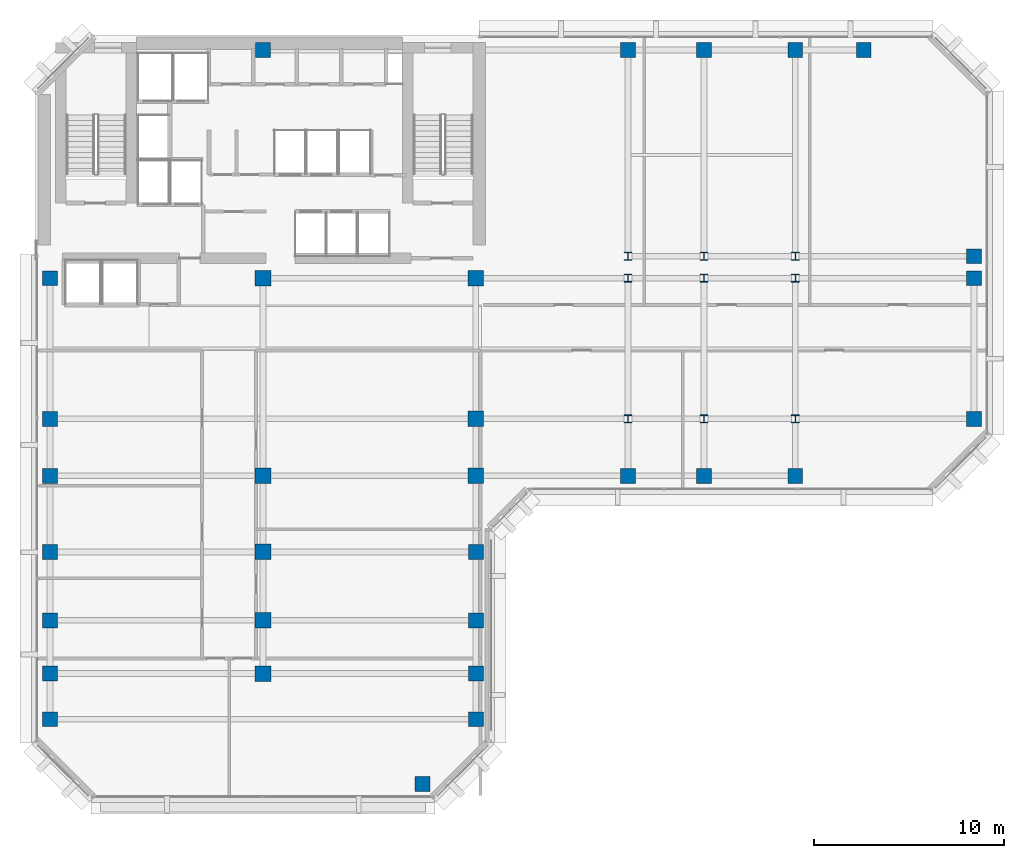
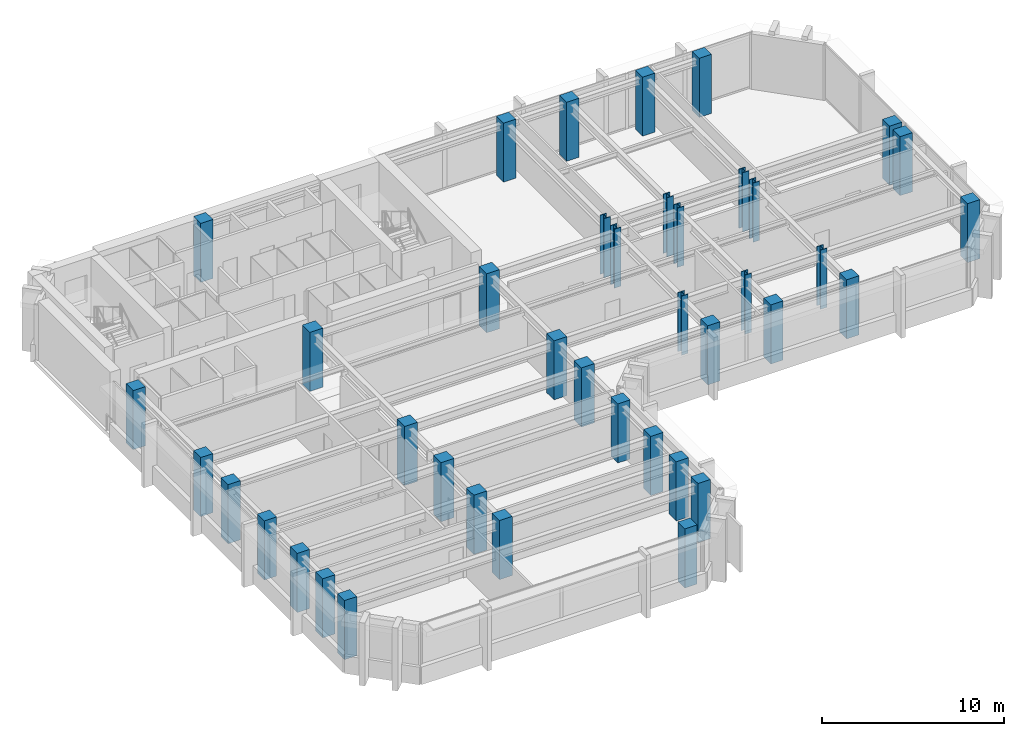
# One storey, part 1 of 12: 40 columns.
"""IFC4 building model written with IfcOpenShell, lengths in metres."""

from ifc_helpers import new_model, si_unit, direction, frame, origin, origin_2d, place, context, subcontext, project, spatial, rectangle, i_section, extrude, material, material_profile, profile_set, type_object, element, save


model = new_model("IFC4")

# Units and contexts
model_context = context("Model", 3, precision=1e-05, world=origin(), true_north=direction((0.0, 1.0)))
body_context = subcontext(model_context, "Body", "Model", "MODEL_VIEW")
ifc_project = project(units=[si_unit("LENGTHUNIT", "METRE"), si_unit("AREAUNIT", "SQUARE_METRE"), si_unit("VOLUMEUNIT", "CUBIC_METRE"), si_unit("PLANEANGLEUNIT", "RADIAN"), si_unit("MASSUNIT", "GRAM", prefix="KILO")], contexts=[model_context])

# Site, building, storey
site_placement = place(None, origin())
site = spatial("IfcSite", under=ifc_project, at=site_placement, CompositionType="ELEMENT")
building_placement = place(site_placement, origin())
building = spatial("IfcBuilding", under=site, at=building_placement, Name="Kefirva Bronze Tower", CompositionType="ELEMENT")
storey_placement = place(building_placement, frame((0.0, 0.0, 203.280029296875)))
storey = spatial("IfcBuildingStorey", under=building, at=storey_placement, Name="L49", CompositionType="ELEMENT", Elevation=203.280029296875)

# Columns
ifc_material_1 = material(Name="Concrete C50/60", Category="concrete")
ifc_material_profile_1 = material_profile(ifc_material_1, rectangle(XDim=0.780029296875, YDim=0.780029296875, at=origin_2d()), Name="RC 780x780")
ifc_profile_set_1 = profile_set([ifc_material_profile_1], Name="Concrete C50/60")
column_type_1 = type_object("IfcColumnType", Name="RC Column 780x780 Ext", PredefinedType="COLUMN", material=ifc_profile_set_1)
for number, where, z_axis, x_axis, name in (
    (1, (0.800048828125, 10.0, 0.0), (0.0, 0.0, 1.0), (1.0, 0.0, 0.0), "L49 Column C008_100"),
    (2, (0.800048828125, 12.39990234375, 0.0), (0.0, 0.0, 1.0), (1.0, 0.0, 0.0), "L49 Column C008_124"),
    (3, (0.800048828125, 15.199951171875, 0.0), (0.0, 0.0, 1.0), (1.0, 0.0, 0.0), "L49 Column C008_152"),
    (4, (0.800048828125, 18.800048828125, 0.0), (0.0, 0.0, 1.0), (1.0, 0.0, 0.0), "L49 Column C008_188"),
    (5, (0.800048828125, 22.800048828125, 0.0), (0.0, 0.0, 1.0), (1.0, 0.0, 0.0), "L49 Column C008_228"),
    (6, (0.800048828125, 25.800048828125, 0.0), (0.0, 0.0, 1.0), (1.0, 0.0, 0.0), "L49 Column C008_258"),
    (7, (0.800048828125, 33.199951171875, 0.0), (0.0, 0.0, 1.0), (1.0, 0.0, 0.0), "L49 Column C008_332"),
    (8, (12.0, 45.199951171875, 0.0), (0.0, 0.0, 1.0), (1.0, 0.0, 0.0), "L49 Column C120_452"),
    (9, (20.39990234375, 6.60009765625, 0.0), (0.0, 0.0, 1.0), (1.0, 0.0, 0.0), "L49 Column C204_066"),
    (10, (23.199951171875, 10.0, 0.0), (0.0, 0.0, 1.0), (1.0, 0.0, 0.0), "L49 Column C232_100"),
    (11, (23.199951171875, 12.39990234375, 0.0), (0.0, 0.0, 1.0), (1.0, 0.0, 0.0), "L49 Column C232_124"),
    (12, (23.199951171875, 15.199951171875, 0.0), (0.0, 0.0, 1.0), (1.0, 0.0, 0.0), "L49 Column C232_152"),
    (13, (23.199951171875, 18.800048828125, 0.0), (0.0, 0.0, 1.0), (1.0, 0.0, 0.0), "L49 Column C232_188"),
    (14, (31.199951171875, 22.800048828125, 0.0), (0.0, 0.0, 1.0), (1.0, 0.0, 0.0), "L49 Column C312_228"),
    (15, (31.199951171875, 45.199951171875, 0.0), (0.0, 0.0, 1.0), (1.0, 0.0, 0.0), "L49 Column C312_452"),
    (16, (35.199951171875, 22.800048828125, 0.0), (0.0, 0.0, 1.0), (1.0, 0.0, 0.0), "L49 Column C352_228"),
    (17, (35.199951171875, 45.199951171875, 0.0), (0.0, 0.0, 1.0), (1.0, 0.0, 0.0), "L49 Column C352_452"),
    (18, (40.0, 22.800048828125, 0.0), (0.0, 0.0, 1.0), (1.0, 0.0, 0.0), "L49 Column C400_228"),
    (19, (40.0, 45.199951171875, 0.0), (0.0, 0.0, 1.0), (1.0, 0.0, 0.0), "L49 Column C400_452"),
    (20, (43.60009765625, 45.199951171875, 0.0), (0.0, 0.0, 1.0), (1.0, 0.0, 0.0), "L49 Column C436_452"),
    (21, (49.39990234375, 25.800048828125, 0.0), (0.0, 0.0, 1.0), (1.0, 0.0, 0.0), "L49 Column C494_258"),
    (22, (49.39990234375, 33.199951171875, 0.0), (0.0, 0.0, 1.0), (1.0, 0.0, 0.0), "L49 Column C494_332"),
    (23, (49.39990234375, 34.35009765625, 0.0), (0.0, 0.0, 1.0), (1.0, 0.0, 0.0), "L49 Column C494_344"),
):
    element("IfcColumn", number, at=place(storey_placement, frame(where, z_axis=z_axis, x_axis=x_axis)), inside=storey, type_object=column_type_1, Name=name, PredefinedType="COLUMN", context=body_context, shape_type="SweptSolid", body=[
        extrude(rectangle(XDim=0.780029296875, YDim=0.780029296875, at=origin_2d()), origin(), (0.0, 0.0, 1.0), 3.9599609375),
    ])
ifc_material_profile_2 = material_profile(ifc_material_1, rectangle(XDim=0.820068359375, YDim=0.820068359375, at=origin_2d()), Name="RC 820x820")
ifc_profile_set_2 = profile_set([ifc_material_profile_2], Name="Concrete C50/60")
column_type_2 = type_object("IfcColumnType", Name="RC Column 820x820 Int", PredefinedType="COLUMN", material=ifc_profile_set_2)
for number, where, z_axis, x_axis, name in (
    (24, (12.0, 12.39990234375, 0.0), (0.0, 0.0, 1.0), (1.0, 0.0, 0.0), "L49 Column C120_124"),
    (25, (12.0, 15.199951171875, 0.0), (0.0, 0.0, 1.0), (1.0, 0.0, 0.0), "L49 Column C120_152"),
    (26, (12.0, 18.800048828125, 0.0), (0.0, 0.0, 1.0), (1.0, 0.0, 0.0), "L49 Column C120_188"),
    (27, (12.0, 22.800048828125, 0.0), (0.0, 0.0, 1.0), (1.0, 0.0, 0.0), "L49 Column C120_228"),
    (28, (12.0, 33.199951171875, 0.0), (0.0, 0.0, 1.0), (1.0, 0.0, 0.0), "L49 Column C120_332"),
    (29, (23.199951171875, 22.800048828125, 0.0), (0.0, 0.0, 1.0), (1.0, 0.0, 0.0), "L49 Column C232_228"),
    (30, (23.199951171875, 25.800048828125, 0.0), (0.0, 0.0, 1.0), (1.0, 0.0, 0.0), "L49 Column C232_258"),
    (31, (23.199951171875, 33.199951171875, 0.0), (0.0, 0.0, 1.0), (1.0, 0.0, 0.0), "L49 Column C232_332"),
):
    element("IfcColumn", number, at=place(storey_placement, frame(where, z_axis=z_axis, x_axis=x_axis)), inside=storey, type_object=column_type_2, Name=name, PredefinedType="COLUMN", context=body_context, shape_type="SweptSolid", body=[
        extrude(rectangle(XDim=0.820068359375, YDim=0.820068359375, at=origin_2d()), origin(), (0.0, 0.0, 1.0), 3.9599609375),
    ])
ifc_material_2 = material(Name="Steel S460", Category="steel")
ifc_material_profile_3 = material_profile(ifc_material_2, i_section(OverallWidth=0.412109375, OverallDepth=0.43505859375, WebThickness=0.027099609375, FlangeThickness=0.04296875, at=origin_2d()), Name="HD 400x463")
ifc_profile_set_3 = profile_set([ifc_material_profile_3], Name="Steel S460")
column_type_3 = type_object("IfcColumnType", Name="Steel Column HD 400x463", PredefinedType="COLUMN", material=ifc_profile_set_3)
for number, where, z_axis, x_axis, name in (
    (32, (31.199951171875, 25.800048828125, 0.0), (0.0, 0.0, 1.0), (1.0, 0.0, 0.0), "L49 Column C312_258"),
    (33, (31.199951171875, 33.199951171875, 0.0), (0.0, 0.0, 1.0), (1.0, 0.0, 0.0), "L49 Column C312_332"),
    (34, (31.199951171875, 34.35009765625, 0.0), (0.0, 0.0, 1.0), (1.0, 0.0, 0.0), "L49 Column C312_344"),
    (35, (35.199951171875, 25.800048828125, 0.0), (0.0, 0.0, 1.0), (1.0, 0.0, 0.0), "L49 Column C352_258"),
    (36, (35.199951171875, 33.199951171875, 0.0), (0.0, 0.0, 1.0), (1.0, 0.0, 0.0), "L49 Column C352_332"),
    (37, (35.199951171875, 34.35009765625, 0.0), (0.0, 0.0, 1.0), (1.0, 0.0, 0.0), "L49 Column C352_344"),
    (38, (40.0, 25.800048828125, 0.0), (0.0, 0.0, 1.0), (1.0, 0.0, 0.0), "L49 Column C400_258"),
    (39, (40.0, 33.199951171875, 0.0), (0.0, 0.0, 1.0), (1.0, 0.0, 0.0), "L49 Column C400_332"),
    (40, (40.0, 34.35009765625, 0.0), (0.0, 0.0, 1.0), (1.0, 0.0, 0.0), "L49 Column C400_344"),
):
    element("IfcColumn", number, at=place(storey_placement, frame(where, z_axis=z_axis, x_axis=x_axis)), inside=storey, type_object=column_type_3, Name=name, PredefinedType="COLUMN", context=body_context, shape_type="SweptSolid", body=[
        extrude(i_section(OverallWidth=0.412109375, OverallDepth=0.43505859375, WebThickness=0.027099609375, FlangeThickness=0.04296875, at=origin_2d()), origin(), (0.0, 0.0, 1.0), 3.9599609375),
    ])

save(model, "model.ifc")
